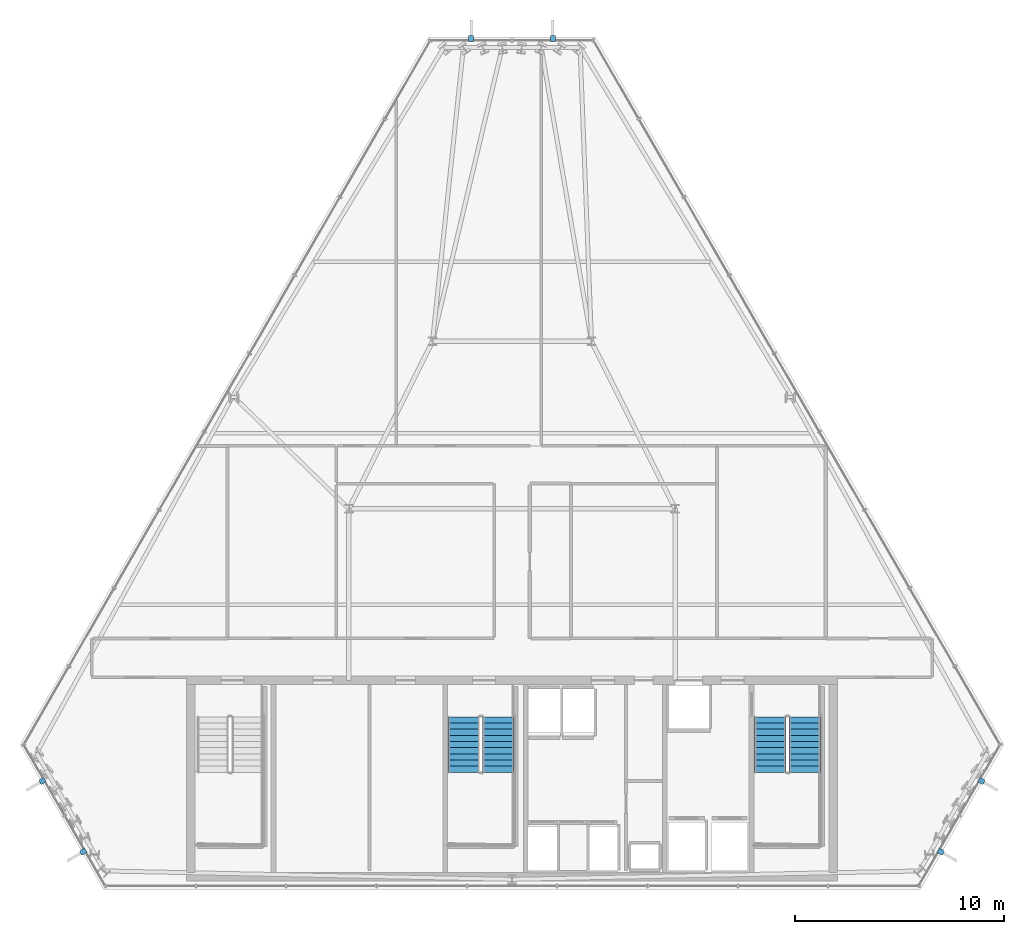
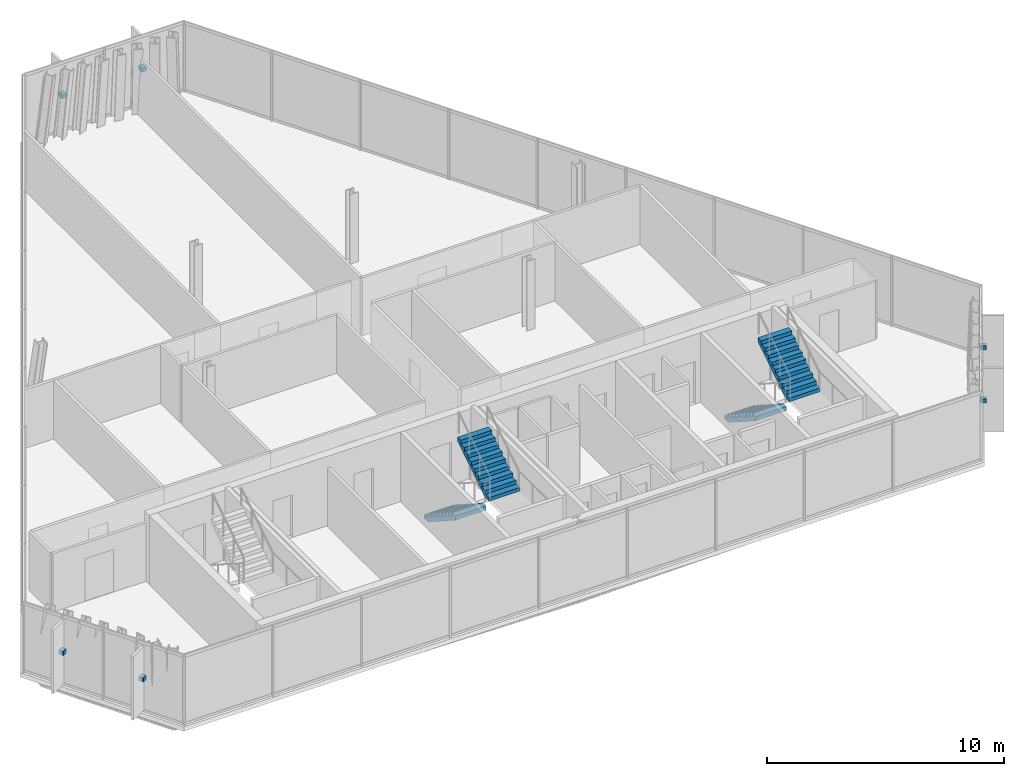
# One storey, part 26 of 30: 6 discrete accessories, 4 stair flights, 2 elements without a shape of their own.
"""IFC4 building model written with IfcOpenShell, lengths in metres."""

from ifc_helpers import new_model, si_unit, direction, frame, origin, origin_2d, place, context, subcontext, project, spatial, polyline, rectangle, outline, extrude, material, type_object, element, aggregate, save


model = new_model("IFC4")

# Units and contexts
model_context = context("Model", 3, precision=1e-05, world=origin(), true_north=direction((0.0, 1.0)))
body_context = subcontext(model_context, "Body", "Model", "MODEL_VIEW")
ifc_project = project(units=[si_unit("LENGTHUNIT", "METRE"), si_unit("AREAUNIT", "SQUARE_METRE"), si_unit("VOLUMEUNIT", "CUBIC_METRE"), si_unit("PLANEANGLEUNIT", "RADIAN"), si_unit("MASSUNIT", "GRAM", prefix="KILO")], contexts=[model_context])

# Site, building, storey
site_placement = place(None, origin())
site = spatial("IfcSite", under=ifc_project, at=site_placement, CompositionType="ELEMENT")
building_placement = place(site_placement, origin())
building = spatial("IfcBuilding", under=site, at=building_placement, Name="Ndaravel Arena Tower", CompositionType="ELEMENT")
storey_placement = place(building_placement, frame((0.0, 0.0, 225.60009765625)))
storey = spatial("IfcBuildingStorey", under=building, at=storey_placement, Name="L54", CompositionType="ELEMENT", Elevation=225.60009765625)

# Stair, stair flights
ifc_material_1 = material(Name="Concrete C40/50", Category="concrete")
stair_type = type_object("IfcStairType", Name="STAIR-CORE-HT", PredefinedType="HALF_TURN_STAIR", material=ifc_material_1)
stair_1_placement = place(storey_placement, origin())
stair_1 = element("IfcStair", 1, at=stair_1_placement, inside=storey, type_object=stair_type, Name="L54 ST-2", PredefinedType="HALF_TURN_STAIR")
ifc_material_2 = material(Name="Concrete C40/50", Category="concrete")
stair_flight_type = type_object("IfcStairFlightType", Name="SFLIGHT-CORE-1680", PredefinedType="STRAIGHT", material=ifc_material_2)
stair_flight_1_placement = place(storey_placement, frame((39.699951171875, 13.25, 0.0), z_axis=(0.0, 0.0, 1.0), x_axis=(0.0, -1.0, 0.0)))
stair_flight_1 = element("IfcStairFlight", 2, at=stair_flight_1_placement, type_object=stair_flight_type, Name="ST-2 flight 1", NumberOfRisers=10, NumberOfTreads=9, PredefinedType="STRAIGHT", RiserHeight=0.19, TreadLength=0.295, context=body_context, shape_type="SweptSolid", body=[
    extrude(outline(polyline([(0.0, 0.0), (0.0, 0.18994140625), (0.294921875, 0.18994140625), (0.294921875, 0.3798828125), (0.590087890625, 0.3798828125), (0.590087890625, 0.570068359375), (0.885009765625, 0.570068359375), (0.885009765625, 0.760009765625), (1.179931640625, 0.760009765625), (1.179931640625, 0.949951171875), (1.47509765625, 0.949951171875), (1.47509765625, 1.139892578125), (1.77001953125, 1.139892578125), (1.77001953125, 1.330078125), (2.06494140625, 1.330078125), (2.06494140625, 1.52001953125), (2.360107421875, 1.52001953125), (2.360107421875, 1.7099609375), (2.655029296875, 1.7099609375), (2.655029296875, 1.89990234375), (2.655029296875, 1.49609375), (0.332275390625, 0.0), (0.0, 0.0)])), frame((0.0, 0.75, 0.0), z_axis=(0.0, -1.0, 0.0), x_axis=(1.0, 0.0, 0.0)), (0.0, 0.0, 1.0), 1.5),
])
stair_flight_2_placement = place(storey_placement, frame((41.340087890625, 10.594970703125, 1.89990234375), z_axis=(0.0, 0.0, 1.0), x_axis=(0.0, 1.0, 0.0)))
stair_flight_2 = element("IfcStairFlight", 3, at=stair_flight_2_placement, type_object=stair_flight_type, Name="ST-2 flight 2", NumberOfRisers=10, NumberOfTreads=9, PredefinedType="STRAIGHT", RiserHeight=0.19, TreadLength=0.295, context=body_context, shape_type="SweptSolid", body=[
    extrude(outline(polyline([(0.0, 0.0), (0.0, 0.18994140625), (0.294921875, 0.18994140625), (0.294921875, 0.3798828125), (0.590087890625, 0.3798828125), (0.590087890625, 0.570068359375), (0.885009765625, 0.570068359375), (0.885009765625, 0.760009765625), (1.179931640625, 0.760009765625), (1.179931640625, 0.949951171875), (1.47509765625, 0.949951171875), (1.47509765625, 1.139892578125), (1.77001953125, 1.139892578125), (1.77001953125, 1.330078125), (2.06494140625, 1.330078125), (2.06494140625, 1.52001953125), (2.360107421875, 1.52001953125), (2.360107421875, 1.7099609375), (2.655029296875, 1.7099609375), (2.655029296875, 1.89990234375), (2.655029296875, 1.49609375), (0.332275390625, 0.0), (0.0, 0.0)])), frame((0.0, 0.75, 0.0), z_axis=(0.0, -1.0, 0.0), x_axis=(1.0, 0.0, 0.0)), (0.0, 0.0, 1.0), 1.5),
])
aggregate(stair_1, [stair_flight_1, stair_flight_2])

stair_2_placement = place(storey_placement, origin())
stair_2 = element("IfcStair", 4, at=stair_2_placement, inside=storey, type_object=stair_type, Name="L54 ST-3", PredefinedType="HALF_TURN_STAIR")
stair_flight_3_placement = place(storey_placement, frame((54.35009765625, 13.25, 0.0), z_axis=(0.0, 0.0, 1.0), x_axis=(0.0, -1.0, 0.0)))
stair_flight_3 = element("IfcStairFlight", 5, at=stair_flight_3_placement, type_object=stair_flight_type, Name="ST-3 flight 1", NumberOfRisers=10, NumberOfTreads=9, PredefinedType="STRAIGHT", RiserHeight=0.19, TreadLength=0.295, context=body_context, shape_type="SweptSolid", body=[
    extrude(outline(polyline([(0.0, 0.0), (0.0, 0.18994140625), (0.294921875, 0.18994140625), (0.294921875, 0.3798828125), (0.590087890625, 0.3798828125), (0.590087890625, 0.570068359375), (0.885009765625, 0.570068359375), (0.885009765625, 0.760009765625), (1.179931640625, 0.760009765625), (1.179931640625, 0.949951171875), (1.47509765625, 0.949951171875), (1.47509765625, 1.139892578125), (1.77001953125, 1.139892578125), (1.77001953125, 1.330078125), (2.06494140625, 1.330078125), (2.06494140625, 1.52001953125), (2.360107421875, 1.52001953125), (2.360107421875, 1.7099609375), (2.655029296875, 1.7099609375), (2.655029296875, 1.89990234375), (2.655029296875, 1.49609375), (0.332275390625, 0.0), (0.0, 0.0)])), frame((0.0, 0.75, 0.0), z_axis=(0.0, -1.0, 0.0), x_axis=(1.0, 0.0, 0.0)), (0.0, 0.0, 1.0), 1.5),
])
stair_flight_4_placement = place(storey_placement, frame((55.989990234375, 10.594970703125, 1.89990234375), z_axis=(0.0, 0.0, 1.0), x_axis=(0.0, 1.0, 0.0)))
stair_flight_4 = element("IfcStairFlight", 6, at=stair_flight_4_placement, type_object=stair_flight_type, Name="ST-3 flight 2", NumberOfRisers=10, NumberOfTreads=9, PredefinedType="STRAIGHT", RiserHeight=0.19, TreadLength=0.295, context=body_context, shape_type="SweptSolid", body=[
    extrude(outline(polyline([(0.0, 0.0), (0.0, 0.18994140625), (0.294921875, 0.18994140625), (0.294921875, 0.3798828125), (0.590087890625, 0.3798828125), (0.590087890625, 0.570068359375), (0.885009765625, 0.570068359375), (0.885009765625, 0.760009765625), (1.179931640625, 0.760009765625), (1.179931640625, 0.949951171875), (1.47509765625, 0.949951171875), (1.47509765625, 1.139892578125), (1.77001953125, 1.139892578125), (1.77001953125, 1.330078125), (2.06494140625, 1.330078125), (2.06494140625, 1.52001953125), (2.360107421875, 1.52001953125), (2.360107421875, 1.7099609375), (2.655029296875, 1.7099609375), (2.655029296875, 1.89990234375), (2.655029296875, 1.49609375), (0.332275390625, 0.0), (0.0, 0.0)])), frame((0.0, 0.75, 0.0), z_axis=(0.0, -1.0, 0.0), x_axis=(1.0, 0.0, 0.0)), (0.0, 0.0, 1.0), 1.5),
])
aggregate(stair_2, [stair_flight_3, stair_flight_4])

# Discrete accessories
ifc_material_3 = material(Name="Steel S355", Category="steel")
discrete_accessory_type = type_object("IfcDiscreteAccessoryType", Name="ACC-BRACKET-FIN", PredefinedType="BRACKET", material=ifc_material_3)
for number, where, z_axis, x_axis, name in (
    (7, (62.495361328125, 6.799560546875, 1.68994140625), (0.0, 0.0, 1.0), (0.866025403784, -0.5, 0.0), "L54 Mazeras Stone Solar Fin E2.1 Bracket"),
    (8, (64.4462890625, 10.1787109375, 1.68994140625), (0.0, 0.0, 1.0), (0.866025403784, -0.5, 0.0), "L54 Mazeras Stone Solar Fin E2.2 Bracket"),
    (9, (43.950927734375, 45.677734375, 1.68994140625), (0.0, 0.0, 1.0), (0.0, 1.0, 0.0), "L54 Mazeras Stone Solar Fin E4.1 Bracket"),
    (10, (40.049072265625, 45.677734375, 1.68994140625), (0.0, 0.0, 1.0), (0.0, 1.0, 0.0), "L54 Mazeras Stone Solar Fin E4.2 Bracket"),
    (11, (19.5537109375, 10.1787109375, 1.68994140625), (0.0, 0.0, 1.0), (-0.866025403784, -0.5, 0.0), "L54 Mazeras Stone Solar Fin E6.1 Bracket"),
    (12, (21.504638671875, 6.799560546875, 1.68994140625), (0.0, 0.0, 1.0), (-0.866025403784, -0.5, 0.0), "L54 Mazeras Stone Solar Fin E6.2 Bracket"),
):
    element("IfcDiscreteAccessory", number, at=place(storey_placement, frame(where, z_axis=z_axis, x_axis=x_axis)), inside=storey, type_object=discrete_accessory_type, Name=name, PredefinedType="BRACKET", context=body_context, shape_type="SweptSolid", body=[
        extrude(rectangle(XDim=0.280029296875, YDim=0.239990234375, at=origin_2d()), origin(), (0.0, 0.0, 1.0), 0.199951171875),
    ])

save(model, "model.ifc")
